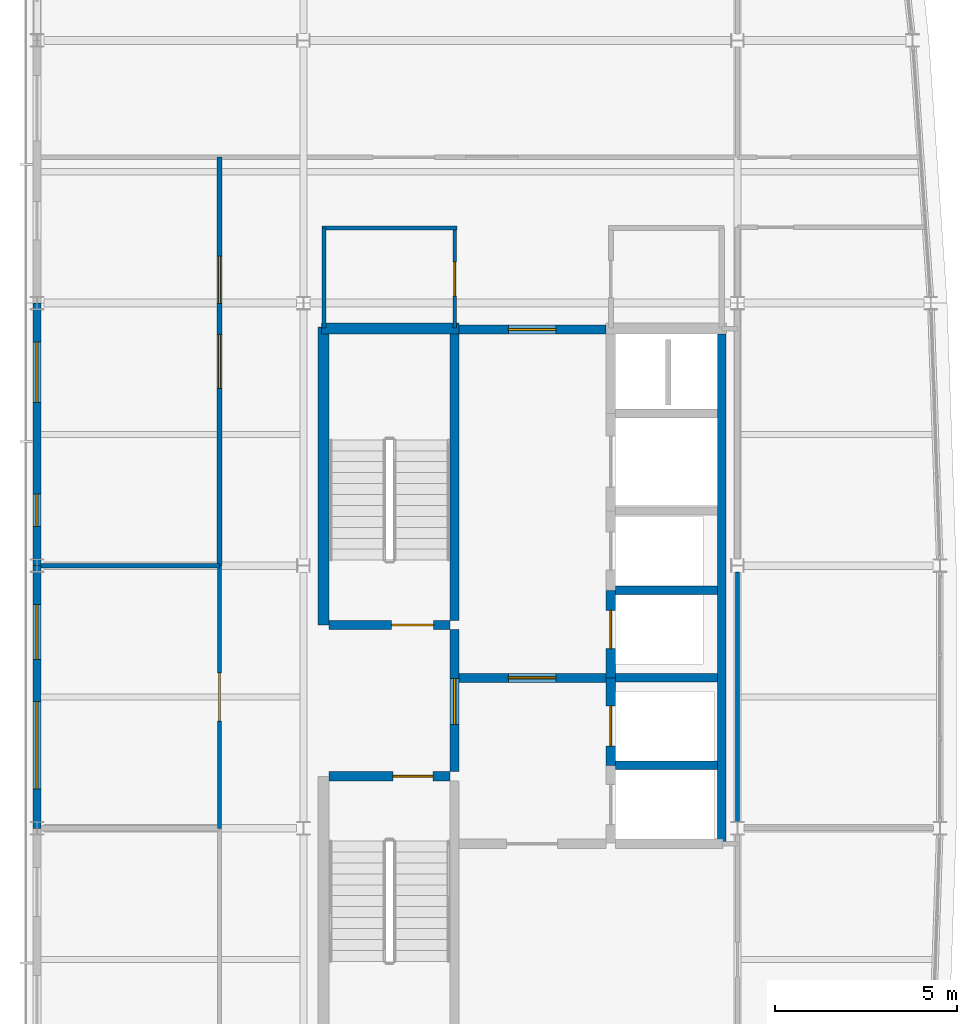
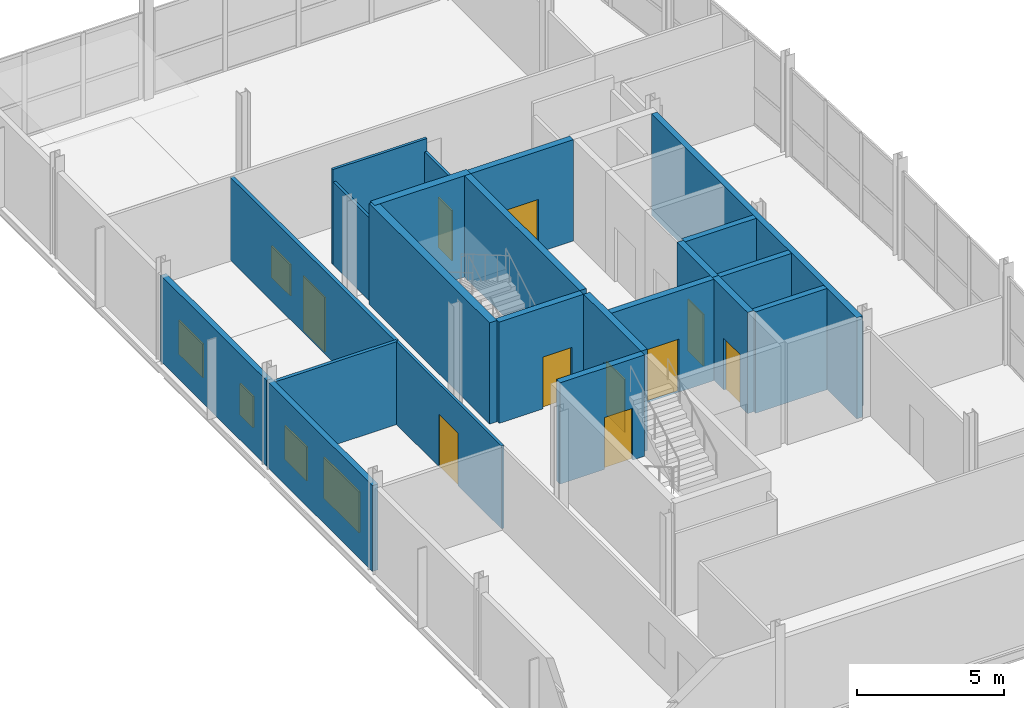
# One storey, part 12 of 17: 23 walls, 10 doors, 5 windows, 15 openings.
"""IFC4 building model written with IfcOpenShell, lengths in metres."""

import ifcopenshell
import ifcopenshell.guid

model = None  # the IFC model being written
_history = None  # IfcOwnerHistory: only IFC2X3 demands one
_inside = {}  # id of a spatial element -> (the spatial element, [elements in it])
_under = {}  # id of a project, library or spatial element -> (it, [spatial elements below it])
_declared = {}  # id of a project -> (the project, [libraries it declares])
_typed = {}  # id of a type object -> (the type object, [elements of that type])
_made_of = {}  # id of a material, layer set ... -> (it, [elements and type objects made of it])


def new_model(schema):
    """Start an empty IFC model of exactly this schema.

    Asked for "IFC4X3", IfcOpenShell would pick the latest addendum, in which some entities
    have other attributes; the version numbers below select the first issue.
    IFC2X3 requires an IfcOwnerHistory on every rooted entity: one is made here for all.
    """
    global model, _history
    if schema == "IFC4X3":
        model = ifcopenshell.file(schema_version=(4, 3, 0, 0))
    else:
        model = ifcopenshell.file(schema=schema)
    _inside.clear()
    _under.clear()
    _declared.clear()
    _typed.clear()
    _made_of.clear()
    _history = None
    if model.schema == "IFC2X3":
        org = make("IfcOrganization", Name="unknown")
        user = make(
            "IfcPersonAndOrganization",
            ThePerson=make("IfcPerson", FamilyName="unknown"),
            TheOrganization=org,
        )
        app = make(
            "IfcApplication",
            ApplicationDeveloper=org,
            Version="unknown",
            ApplicationFullName="unknown",
            ApplicationIdentifier="unknown",
        )
        _history = make(
            "IfcOwnerHistory",
            OwningUser=user,
            OwningApplication=app,
            ChangeAction="ADDED",
            CreationDate=0,
        )
    return model


def make(cls, **values):
    """One entity of the class cls with the attributes given. An attribute that is None is left unset."""
    return model.create_entity(
        cls, **{name: value for name, value in values.items() if value is not None}
    )


def rooted(cls, **values):
    """An entity with a GlobalId (a new one), such as an element, a storey or a relation."""
    return make(cls, GlobalId=ifcopenshell.guid.new(), OwnerHistory=_history, **values)


def si_unit(unit_type, name, prefix=None):
    """IfcSIUnit, for example si_unit("LENGTHUNIT", "METRE", prefix="MILLI")."""
    return make("IfcSIUnit", UnitType=unit_type, Prefix=prefix, Name=name)


def assignment(units):
    """IfcUnitAssignment: the units of a project."""
    return None if units is None else make("IfcUnitAssignment", Units=units)


def point(xyz):
    """IfcCartesianPoint."""
    return None if xyz is None else make("IfcCartesianPoint", Coordinates=xyz)


def direction(xyz):
    """IfcDirection."""
    return None if xyz is None else make("IfcDirection", DirectionRatios=xyz)


def frame(location, z_axis=None, x_axis=None):
    """IfcAxis2Placement3D, a coordinate frame: its origin and axes. An axis left out is left unset."""
    return make(
        "IfcAxis2Placement3D",
        Location=point(location),
        Axis=direction(z_axis),
        RefDirection=direction(x_axis),
    )


def frame_2d(location, x_axis=None):
    """IfcAxis2Placement2D, a coordinate frame in the plane: its origin and x axis."""
    return make(
        "IfcAxis2Placement2D", Location=point(location), RefDirection=direction(x_axis)
    )


def origin():
    """The frame at (0, 0, 0) with its axes left unset."""
    return frame((0.0, 0.0, 0.0))


def place(relative_to, where):
    """IfcLocalPlacement: puts the frame where relative to a parent placement (None: the world)."""
    return make(
        "IfcLocalPlacement", PlacementRelTo=relative_to, RelativePlacement=where
    )


def context(
    kind, dimensions, precision=None, world=None, true_north=None, identifier=None
):
    """IfcGeometricRepresentationContext, for example the 3D "Model" context."""
    return make(
        "IfcGeometricRepresentationContext",
        ContextIdentifier=identifier,
        ContextType=kind,
        CoordinateSpaceDimension=dimensions,
        Precision=precision,
        WorldCoordinateSystem=world,
        TrueNorth=true_north,
    )


def subcontext(parent, identifier, kind, view, scale=None):
    """IfcGeometricRepresentationSubContext, for example "Body" below "Model"."""
    return make(
        "IfcGeometricRepresentationSubContext",
        ContextIdentifier=identifier,
        ContextType=kind,
        ParentContext=parent,
        TargetScale=scale,
        TargetView=view,
    )


def project(units=None, contexts=None):
    """IfcProject with its units and contexts."""
    return rooted(
        "IfcProject",
        Name="project",
        RepresentationContexts=contexts,
        UnitsInContext=assignment(units),
    )


def spatial(cls, under=None, at=None, **own):
    """A site, building, storey or space (cls), placed at a placement, below another one or the project."""
    s = rooted(cls, ObjectPlacement=at, **own)
    if under is not None:
        _under.setdefault(under.id(), (under, []))[1].append(s)
    return s


def profile(cls, at=None, kind="AREA", **sizes):
    """A parametric profile (cls). Its sizes go by their IFC names, for example OverallWidth=200.0."""
    return make(cls, ProfileType=kind, Position=at, **sizes)


def rectangle(**sizes):
    """IfcRectangleProfileDef."""
    return profile("IfcRectangleProfileDef", **sizes)


def extrude(swept, where, along, depth):
    """IfcExtrudedAreaSolid: the profile swept, set in the frame where, extruded along a direction by depth."""
    return make(
        "IfcExtrudedAreaSolid",
        SweptArea=swept,
        Position=where,
        ExtrudedDirection=direction(along),
        Depth=depth,
    )


def shape(context_of_items, identifier, shape_type, items):
    """IfcShapeRepresentation: the items that make up one representation, for example the "Body"."""
    return make(
        "IfcShapeRepresentation",
        ContextOfItems=context_of_items,
        RepresentationIdentifier=identifier,
        RepresentationType=shape_type,
        Items=items,
    )


def material(Name=None, Category=None):
    """IfcMaterial."""
    return make("IfcMaterial", Name=Name, Category=Category)


def layer(
    of_material, thickness, ventilated=None, Name=None, Category=None, Priority=None
):
    """IfcMaterialLayer: one layer of a wall or slab, of a material (None: an air gap)."""
    return make(
        "IfcMaterialLayer",
        Material=of_material,
        LayerThickness=thickness,
        IsVentilated=ventilated,
        Name=Name,
        Category=Category,
        Priority=Priority,
    )


def layer_set(layers, Name=None):
    """IfcMaterialLayerSet."""
    return make("IfcMaterialLayerSet", MaterialLayers=layers, LayerSetName=Name)


def made_of(thing, what):
    """Note that an element or type object is made of a material, layer set ...; save() writes the relation."""
    if what is not None:
        _made_of.setdefault(what.id(), (what, []))[1].append(thing)
    return thing


def type_object(cls, material=None, **own):
    """A type object (cls), such as IfcWallType, which elements share."""
    return made_of(rooted(cls, **own), material)


def element(
    cls,
    number,
    at=None,
    inside=None,
    cuts=None,
    type_object=None,
    material=None,
    context=None,
    identifier="Body",
    shape_type=None,
    held_by="IfcProductDefinitionShape",
    body=None,
    shapes=None,
    **own,
):
    """One element of the class cls, such as IfcWall. Its Tag is "e" and its number.

    at: its placement. inside: the storey or other place that contains it. cuts: it is an
    opening in that element (IfcRelVoidsElement). A single representation is given by context,
    identifier, shape_type and body (its items); several are given by shapes. held_by: the class
    of the entity that holds the representations. save() writes the other relations.
    """
    e = rooted(cls, Tag="e%d" % number, ObjectPlacement=at, **own)
    if body is not None:
        shapes = [shape(context, identifier, shape_type, body)]
    if shapes is not None:
        e.Representation = make(held_by, Representations=shapes)
    if inside is not None:
        _inside.setdefault(inside.id(), (inside, []))[1].append(e)
    if cuts is not None:
        rooted(
            "IfcRelVoidsElement", RelatingBuildingElement=cuts, RelatedOpeningElement=e
        )
    if type_object is not None:
        _typed.setdefault(type_object.id(), (type_object, []))[1].append(e)
    return made_of(e, material)


def fill(opening, filler):
    """IfcRelFillsElement: the door or window that sits in an opening."""
    return rooted(
        "IfcRelFillsElement",
        RelatingOpeningElement=opening,
        RelatedBuildingElement=filler,
    )


def aggregate(whole, parts):
    """IfcRelAggregates: a whole, such as a stair, and the parts it consists of."""
    return rooted("IfcRelAggregates", RelatingObject=whole, RelatedObjects=parts)


def save(model, path):
    """Write the relations noted so far, then the file.

    IfcRelAggregates (storeys below a building ...), IfcRelContainedInSpatialStructure (elements
    in a storey), IfcRelDefinesByType, IfcRelAssociatesMaterial and IfcRelDeclares: one each for
    every whole, place, type object, material and project.
    """
    for whole, parts in _under.values():
        aggregate(whole, parts)
    for where, things in _inside.values():
        rooted(
            "IfcRelContainedInSpatialStructure",
            RelatedElements=things,
            RelatingStructure=where,
        )
    for kind, things in _typed.values():
        rooted("IfcRelDefinesByType", RelatedObjects=things, RelatingType=kind)
    for what, things in _made_of.values():
        rooted("IfcRelAssociatesMaterial", RelatedObjects=things, RelatingMaterial=what)
    for by, libraries in _declared.values():
        rooted("IfcRelDeclares", RelatingContext=by, RelatedDefinitions=libraries)
    model.write(path)


model = new_model("IFC4")

# Units and contexts
model_context = context("Model", 3, precision=1e-05, world=origin(), true_north=direction((0.0, 1.0)))
body_context = subcontext(model_context, "Body", "Model", "MODEL_VIEW")
ifc_project = project(units=[si_unit("LENGTHUNIT", "METRE"), si_unit("AREAUNIT", "SQUARE_METRE"), si_unit("VOLUMEUNIT", "CUBIC_METRE"), si_unit("PLANEANGLEUNIT", "RADIAN"), si_unit("MASSUNIT", "GRAM", prefix="KILO")], contexts=[model_context])

# Site, building, storey
site_placement = place(None, origin())
site = spatial("IfcSite", under=ifc_project, at=site_placement, CompositionType="ELEMENT")
building_placement = place(site_placement, origin())
building = spatial("IfcBuilding", under=site, at=building_placement, Name="Quillay Park Conservatory", CompositionType="ELEMENT")
storey_placement = place(building_placement, frame((0.0, 0.0, 56.10009765625)))
storey = spatial("IfcBuildingStorey", under=building, at=storey_placement, Name="L13", CompositionType="ELEMENT", Elevation=56.10009765625)

# Wall, opening, door
ifc_material_1 = material(Name="Steel-Stud Acoustic Gypsum Board Partition", Category="steel")
ifc_layer_1 = layer(ifc_material_1, 0.10009765625)
ifc_layer_set_1 = layer_set([ifc_layer_1], Name="ACOUSTIC GYPSUM PARTITION 100 (Steel-Stud Acoustic Gypsum Board Partition)")
wall_type_1 = type_object("IfcWallType", Name="ACOUSTIC GYPSUM PARTITION 100", PredefinedType="PARTITIONING", material=ifc_layer_set_1)
wall_1_placement = place(storey_placement, frame((12.0, 101.60009765625, 0.0), z_axis=(0.0, 0.0, 1.0), x_axis=(0.0, -1.0, 0.0)))
wall_1 = element("IfcWall", 1, at=wall_1_placement, inside=storey, type_object=wall_type_1, Name="L13 Accessible WC Door Wall", PredefinedType="PARTITIONING", context=body_context, shape_type="SweptSolid", body=[
    extrude(rectangle(XDim=2.68017578125, YDim=0.10009765625, at=frame_2d((1.340087890625, 0.0))), origin(), (0.0, 0.0, 1.0), 3.435791015625),
])
opening_1_placement = place(wall_1_placement, frame((0.8701171875, 0.0, 0.0)))
opening_1 = element("IfcOpeningElement", 2, at=opening_1_placement, cuts=wall_1, Name="Opening D-RM32", PredefinedType="OPENING", context=body_context, shape_type="SweptSolid", body=[
    extrude(rectangle(XDim=0.93994140625, YDim=2.080078125, at=frame_2d((0.469970703125, 1.0400390625))), frame((0.0, 0.050048828125, 0.0), z_axis=(0.0, -1.0, 0.0), x_axis=(1.0, 0.0, 0.0)), (0.0, 0.0, 1.0), 0.10009765625),
])
ifc_material_2 = material(Name="Thermally Broken Anodised Aluminium 6063-T6", Category="aluminium")
door_type_1 = type_object("IfcDoorType", Name="SINGLE SWING DOOR 940 X2080", OperationType="NOTDEFINED", PredefinedType="DOOR", material=ifc_material_2)
door_1_placement = place(opening_1_placement, origin())
door_1 = element("IfcDoor", 3, at=door_1_placement, inside=storey, type_object=door_type_1, Name="L13 Door to L13 Accessible WC", OperationType="SINGLE_SWING_LEFT", OverallHeight=2.080078125, OverallWidth=0.93994140625, PredefinedType="DOOR", context=body_context, shape_type="SweptSolid", body=[
    extrude(rectangle(XDim=0.93994140625, YDim=2.080078125, at=frame_2d((0.469970703125, 1.0400390625))), frame((0.0, 0.02490234375, 0.0), z_axis=(0.0, -1.0, 0.0), x_axis=(1.0, 0.0, 0.0)), (0.0, 0.0, 1.0), 0.050048828125),
])
fill(opening_1, door_1)

wall_2_placement = place(storey_placement, frame((5.550048828125, 85.199951171875, 0.0), z_axis=(0.0, 0.0, 1.0), x_axis=(0.0, 1.0, 0.0)))
wall_2 = element("IfcWall", 4, at=wall_2_placement, inside=storey, type_object=wall_type_1, Name="L13 L13 Flora of Chile Editorial and Taxonomy Suite Corridor Wall", PredefinedType="PARTITIONING", context=body_context, shape_type="SweptSolid", body=[
    extrude(rectangle(XDim=7.199951171875, YDim=0.10009765625, at=frame_2d((3.60009765625, 0.0))), origin(), (0.0, 0.0, 1.0), 3.435791015625),
])
opening_2_placement = place(wall_2_placement, frame((2.93994140625, 0.0, 0.0)))
opening_2 = element("IfcOpeningElement", 5, at=opening_2_placement, cuts=wall_2, Name="Opening D-RM36", PredefinedType="OPENING", context=body_context, shape_type="SweptSolid", body=[
    extrude(rectangle(XDim=1.320068359375, YDim=2.179931640625, at=frame_2d((0.66015625, 1.08984375))), frame((0.0, 0.050048828125, 0.0), z_axis=(0.0, -1.0, 0.0), x_axis=(1.0, 0.0, 0.0)), (0.0, 0.0, 1.0), 0.10009765625),
])
ifc_material_3 = material(Name="Thermally Broken Anodised Aluminium 6063-T6", Category="aluminium")
door_type_2 = type_object("IfcDoorType", Name="SINGLE SWING DOOR 1320 X2180", OperationType="NOTDEFINED", PredefinedType="DOOR", material=ifc_material_3)
door_2_placement = place(opening_2_placement, origin())
door_2 = element("IfcDoor", 6, at=door_2_placement, inside=storey, type_object=door_type_2, Name="L13 Door to L13 Flora of Chile Editorial and Taxonomy Suite", OperationType="SINGLE_SWING_RIGHT", OverallHeight=2.179931640625, OverallWidth=1.320068359375, PredefinedType="DOOR", context=body_context, shape_type="SweptSolid", body=[
    extrude(rectangle(XDim=1.320068359375, YDim=2.179931640625, at=frame_2d((0.66015625, 1.08984375))), frame((0.0, 0.02490234375, 0.0), z_axis=(0.0, -1.0, 0.0), x_axis=(1.0, 0.0, 0.0)), (0.0, 0.0, 1.0), 0.050048828125),
])
fill(opening_2, door_2)

# Walls
wall_3_placement = place(storey_placement, frame((19.75, 85.373046875, 0.0), z_axis=(0.0, 0.0, 1.0), x_axis=(0.0, 1.0, 0.0)))
element("IfcWall", 7, at=wall_3_placement, inside=storey, type_object=wall_type_1, Name="L13 L13 Remote Sensing Phenology Laboratory West Wall 1", PredefinedType="PARTITIONING", context=body_context, shape_type="SweptSolid", body=[
    extrude(rectangle(XDim=6.847412109375, YDim=0.10009765625, at=frame_2d((3.423828125, 0.0))), origin(), (0.0, 0.0, 1.0), 3.511962890625),
])
ifc_material_4 = material(Name="Steel-Stud Acoustic Gypsum Board Partition", Category="steel")
ifc_layer_2 = layer(ifc_material_4, 0.10498046875)
ifc_layer_set_2 = layer_set([ifc_layer_2], Name="ACOUSTIC GYPSUM PARTITION 105 (Steel-Stud Acoustic Gypsum Board Partition)")
wall_type_2 = type_object("IfcWallType", Name="ACOUSTIC GYPSUM PARTITION 105", PredefinedType="PARTITIONING", material=ifc_layer_set_2)
wall_4_placement = place(storey_placement, frame((8.360107421875, 101.659912109375, 0.0), z_axis=(0.0, 0.0, 1.0), x_axis=(1.0, 0.0, 0.0)))
element("IfcWall", 8, at=wall_4_placement, inside=storey, type_object=wall_type_2, Name="L13 Accessible WC North Wall", PredefinedType="PARTITIONING", context=body_context, shape_type="SweptSolid", body=[
    extrude(rectangle(XDim=3.699951171875, YDim=0.10498046875, at=frame_2d((1.85009765625, 0.0))), origin(), (0.0, 0.0, 1.0), 3.949951171875),
])
ifc_material_5 = material(Name="Steel-Stud Acoustic Gypsum Board Partition", Category="steel")
ifc_layer_3 = layer(ifc_material_5, 0.110107421875)
ifc_layer_set_3 = layer_set([ifc_layer_3], Name="ACOUSTIC GYPSUM PARTITION 110 (Steel-Stud Acoustic Gypsum Board Partition)")
wall_type_3 = type_object("IfcWallType", Name="ACOUSTIC GYPSUM PARTITION 110", PredefinedType="PARTITIONING", material=ifc_layer_set_3)
wall_5_placement = place(storey_placement, frame((8.419921875, 98.919921875, 0.0), z_axis=(0.0, 0.0, 1.0), x_axis=(0.0, 1.0, 0.0)))
element("IfcWall", 9, at=wall_5_placement, inside=storey, type_object=wall_type_3, Name="L13 Accessible WC West Wall", PredefinedType="PARTITIONING", context=body_context, shape_type="SweptSolid", body=[
    extrude(rectangle(XDim=2.739990234375, YDim=0.110107421875, at=frame_2d((1.3701171875, 0.0))), origin(), (0.0, 0.0, 1.0), 3.435791015625),
])
ifc_material_6 = material(Name="Steel-Stud Acoustic Gypsum Board Partition", Category="steel")
ifc_layer_4 = layer(ifc_material_6, 0.1298828125)
ifc_layer_set_4 = layer_set([ifc_layer_4], Name="ACOUSTIC GYPSUM PARTITION 130 (Steel-Stud Acoustic Gypsum Board Partition)")
wall_type_4 = type_object("IfcWallType", Name="ACOUSTIC GYPSUM PARTITION 130", PredefinedType="PARTITIONING", material=ifc_layer_set_4)
wall_6_placement = place(storey_placement, frame((0.64990234375, 92.39990234375, 0.0), z_axis=(0.0, 0.0, 1.0), x_axis=(1.0, 0.0, 0.0)))
element("IfcWall", 10, at=wall_6_placement, inside=storey, type_object=wall_type_4, Name="L13 West Divider 92", PredefinedType="PARTITIONING", context=body_context, shape_type="SweptSolid", body=[
    extrude(rectangle(XDim=4.900146484375, YDim=0.1298828125, at=frame_2d((2.4501953125, 0.0))), origin(), (0.0, 0.0, 1.0), 3.435791015625),
])

# Wall, openings, window, door
ifc_material_7 = material(Name="Steel-Stud Acoustic Gypsum Board Partition", Category="steel")
ifc_layer_5 = layer(ifc_material_7, 0.139892578125)
ifc_layer_set_5 = layer_set([ifc_layer_5], Name="ACOUSTIC GYPSUM PARTITION 140 (Steel-Stud Acoustic Gypsum Board Partition)")
wall_type_5 = type_object("IfcWallType", Name="ACOUSTIC GYPSUM PARTITION 140", PredefinedType="PARTITIONING", material=ifc_layer_set_5)
wall_7_placement = place(storey_placement, frame((5.550048828125, 92.39990234375, 0.0), z_axis=(0.0, 0.0, 1.0), x_axis=(0.0, 1.0, 0.0)))
wall_7 = element("IfcWall", 11, at=wall_7_placement, inside=storey, type_object=wall_type_5, Name="L13 L13 Endangered Flora Conservation Planning Lab Corridor Wall", PredefinedType="PARTITIONING", context=body_context, shape_type="SweptSolid", body=[
    extrude(rectangle(XDim=11.2001953125, YDim=0.139892578125, at=frame_2d((5.60009765625, 0.0))), origin(), (0.0, 0.0, 1.0), 3.435791015625),
])
opening_3_placement = place(wall_7_placement, frame((4.860107421875, 0.0, 0.0)))
opening_3 = element("IfcOpeningElement", 12, at=opening_3_placement, cuts=wall_7, Name="Opening D-RM37", PredefinedType="OPENING", context=body_context, shape_type="SweptSolid", body=[
    extrude(rectangle(XDim=1.47998046875, YDim=2.280029296875, at=frame_2d((0.739990234375, 1.14013671875))), frame((0.0, 0.06982421875, 0.0), z_axis=(0.0, -1.0, 0.0), x_axis=(1.0, 0.0, 0.0)), (0.0, 0.0, 1.0), 0.139892578125),
])
opening_4_placement = place(wall_7_placement, frame((7.18994140625, 0.0, 0.919921875)))
opening_4 = element("IfcOpeningElement", 13, at=opening_4_placement, cuts=wall_7, Name="Opening W-IN11", PredefinedType="OPENING", context=body_context, shape_type="SweptSolid", body=[
    extrude(rectangle(XDim=1.300048828125, YDim=1.300048828125, at=frame_2d((0.64990234375, 0.64990234375))), frame((0.0, 0.06982421875, 0.0), z_axis=(0.0, -1.0, 0.0), x_axis=(1.0, 0.0, 0.0)), (0.0, 0.0, 1.0), 0.139892578125),
])
ifc_material_8 = material(Name="Low-E Double Glazing (Laminated Tempered)", Category="glass")
window_type_1 = type_object("IfcWindowType", Name="OPERABLE VENT WINDOW 1300 X1300", PartitioningType="SINGLE_PANEL", PredefinedType="WINDOW", material=ifc_material_8)
window_1_placement = place(opening_4_placement, origin())
window_1 = element("IfcWindow", 14, at=window_1_placement, inside=storey, type_object=window_type_1, Name="L13 Laboratory Vision Panel 047", OverallHeight=1.300048828125, OverallWidth=1.300048828125, PartitioningType="SINGLE_PANEL", PredefinedType="WINDOW", context=body_context, shape_type="SweptSolid", body=[
    extrude(rectangle(XDim=1.300048828125, YDim=1.300048828125, at=frame_2d((0.64990234375, 0.64990234375))), frame((0.0, 0.030029296875, 0.0), z_axis=(0.0, -1.0, 0.0), x_axis=(1.0, 0.0, 0.0)), (0.0, 0.0, 1.0), 0.06005859375),
])
fill(opening_4, window_1)
ifc_material_9 = material(Name="Thermally Broken Anodised Aluminium 6063-T6", Category="aluminium")
door_type_3 = type_object("IfcDoorType", Name="SINGLE SWING DOOR 1480 X2280", OperationType="NOTDEFINED", PredefinedType="DOOR", material=ifc_material_9)
door_3_placement = place(opening_3_placement, origin())
door_3 = element("IfcDoor", 15, at=door_3_placement, inside=storey, type_object=door_type_3, Name="L13 Door to L13 Endangered Flora Conservation Planning Lab", OperationType="SINGLE_SWING_LEFT", OverallHeight=2.280029296875, OverallWidth=1.47998046875, PredefinedType="DOOR", context=body_context, shape_type="SweptSolid", body=[
    extrude(rectangle(XDim=1.47998046875, YDim=2.280029296875, at=frame_2d((0.739990234375, 1.14013671875))), frame((0.0, 0.02490234375, 0.0), z_axis=(0.0, -1.0, 0.0), x_axis=(1.0, 0.0, 0.0)), (0.0, 0.0, 1.0), 0.050048828125),
])
fill(opening_3, door_3)

# Walls
ifc_material_10 = material(Name="Concrete C35/45 (NCh170 Concrete C35/45)", Category="concrete")
ifc_layer_6 = layer(ifc_material_10, 0.22509765625)
ifc_layer_set_6 = layer_set([ifc_layer_6], Name="CORE SHEAR WALL 225 (Concrete C35/45 (NCh170 Concrete C35/45))")
wall_type_6 = type_object("IfcWallType", Name="CORE SHEAR WALL 225", PredefinedType="SHEAR", material=ifc_layer_set_6)
wall_8_placement = place(storey_placement, frame((19.320068359375, 84.800048828125, 0.0), z_axis=(0.0, 0.0, 1.0), x_axis=(0.0, 1.0, 0.0)))
element("IfcWall", 16, at=wall_8_placement, inside=storey, type_object=wall_type_6, Name="L13 Core Shear Wall WL-LFBACK-L13", PredefinedType="SHEAR", context=body_context, shape_type="SweptSolid", body=[
    extrude(rectangle(XDim=13.949951171875, YDim=0.22509765625, at=frame_2d((6.97509765625, 0.0))), origin(), (0.0, 0.0, 1.0), 4.199951171875),
])
for number, where, z_axis, x_axis, name in (
    (17, (16.39990234375, 86.925048828125, 0.0), (0.0, 0.0, 1.0), (1.0, 0.0, 0.0), "L13 Core Shear Wall WL-LFDIV-L13-869"),
    (18, (16.39990234375, 89.324951171875, 0.0), (0.0, 0.0, 1.0), (1.0, 0.0, 0.0), "L13 Core Shear Wall WL-LFDIV-L13-893"),
    (19, (16.39990234375, 91.72509765625, 0.0), (0.0, 0.0, 1.0), (1.0, 0.0, 0.0), "L13 Core Shear Wall WL-LFDIV-L13-917"),
):
    element("IfcWall", number, at=place(storey_placement, frame(where, z_axis=z_axis, x_axis=x_axis)), inside=storey, type_object=wall_type_6, Name=name, PredefinedType="SHEAR", context=body_context, shape_type="SweptSolid", body=[
        extrude(rectangle(XDim=2.800048828125, YDim=0.22509765625, at=frame_2d((1.39990234375, 0.0))), origin(), (0.0, 0.0, 1.0), 4.199951171875),
    ])
ifc_material_11 = material(Name="Concrete C40/50 (NCh170 Concrete C40/50)", Category="concrete")
ifc_layer_7 = layer(ifc_material_11, 0.25)
ifc_layer_set_7 = layer_set([ifc_layer_7], Name="CORE SHEAR WALL 250 (Concrete C40/50 (NCh170 Concrete C40/50))")
wall_type_7 = type_object("IfcWallType", Name="CORE SHEAR WALL 250", PredefinedType="SHEAR", material=ifc_layer_set_7)
wall_9_placement = place(storey_placement, frame((11.9951171875, 90.89990234375, 0.0), z_axis=(0.0, 0.0, 1.0), x_axis=(0.0, 1.0, 0.0)))
element("IfcWall", 20, at=wall_9_placement, inside=storey, type_object=wall_type_7, Name="L13 Core Shear Wall WL-T1E-L13", PredefinedType="SHEAR", context=body_context, shape_type="SweptSolid", body=[
    extrude(rectangle(XDim=7.85009765625, YDim=0.25, at=frame_2d((3.925048828125, 0.0))), origin(), (0.0, 0.0, 1.0), 4.199951171875),
])

# Wall, opening, door
wall_10_placement = place(storey_placement, frame((11.9951171875, 86.75, 0.0), z_axis=(0.0, 0.0, 1.0), x_axis=(0.0, 1.0, 0.0)))
wall_10 = element("IfcWall", 21, at=wall_10_placement, inside=storey, type_object=wall_type_7, Name="L13 Core Shear Wall WL-FFW-L13", PredefinedType="SHEAR", context=body_context, shape_type="SweptSolid", body=[
    extrude(rectangle(XDim=3.89990234375, YDim=0.25, at=frame_2d((1.949951171875, 0.0))), origin(), (0.0, 0.0, 1.0), 4.199951171875),
])
opening_5_placement = place(wall_10_placement, frame((1.300048828125, 0.0, 0.0)))
opening_5 = element("IfcOpeningElement", 22, at=opening_5_placement, cuts=wall_10, Name="Opening D-LB01", PredefinedType="OPENING", context=body_context, shape_type="SweptSolid", body=[
    extrude(rectangle(XDim=1.25, YDim=2.199951171875, at=frame_2d((0.625, 1.10009765625))), frame((0.0, 0.125, 0.0), z_axis=(0.0, -1.0, 0.0), x_axis=(1.0, 0.0, 0.0)), (0.0, 0.0, 1.0), 0.25),
])
ifc_material_12 = material(Name="Steel ASTM A572 Grade 50", Category="steel")
door_type_4 = type_object("IfcDoorType", Name="FIRE RATED LOBBY DOOR 1250 X2200", OperationType="NOTDEFINED", PredefinedType="DOOR", material=ifc_material_12)
door_4_placement = place(opening_5_placement, origin())
door_4 = element("IfcDoor", 23, at=door_4_placement, inside=storey, type_object=door_type_4, Name="L13 Firefighting Lobby Corridor Door", OperationType="SINGLE_SWING_LEFT", OverallHeight=2.199951171875, OverallWidth=1.25, PredefinedType="DOOR", context=body_context, shape_type="SweptSolid", body=[
    extrude(rectangle(XDim=1.25, YDim=2.199951171875, at=frame_2d((0.625, 1.10009765625))), frame((0.0, 0.02490234375, 0.0), z_axis=(0.0, -1.0, 0.0), x_axis=(1.0, 0.0, 0.0)), (0.0, 0.0, 1.0), 0.050048828125),
])
fill(opening_5, door_4)

wall_11_placement = place(storey_placement, frame((12.1201171875, 98.875, 0.0), z_axis=(0.0, 0.0, 1.0), x_axis=(1.0, 0.0, 0.0)))
wall_11 = element("IfcWall", 24, at=wall_11_placement, inside=storey, type_object=wall_type_7, Name="L13 Core Shear Wall WL-PAXN-L13", PredefinedType="SHEAR", context=body_context, shape_type="SweptSolid", body=[
    extrude(rectangle(XDim=4.02978515625, YDim=0.25, at=frame_2d((2.014892578125, 0.0))), origin(), (0.0, 0.0, 1.0), 4.199951171875),
])
opening_6_placement = place(wall_11_placement, frame((1.35009765625, 0.0, 0.0)))
opening_6 = element("IfcOpeningElement", 25, at=opening_6_placement, cuts=wall_11, Name="Opening D-LB02", PredefinedType="OPENING", context=body_context, shape_type="SweptSolid", body=[
    extrude(rectangle(XDim=1.300048828125, YDim=2.199951171875, at=frame_2d((0.64990234375, 1.10009765625))), frame((0.0, 0.125, 0.0), z_axis=(0.0, -1.0, 0.0), x_axis=(1.0, 0.0, 0.0)), (0.0, 0.0, 1.0), 0.25),
])
ifc_material_13 = material(Name="Steel ASTM A572 Grade 50", Category="steel")
door_type_5 = type_object("IfcDoorType", Name="FIRE RATED LOBBY DOOR 1300 X2200", OperationType="NOTDEFINED", PredefinedType="DOOR", material=ifc_material_13)
door_5_placement = place(opening_6_placement, origin())
door_5 = element("IfcDoor", 26, at=door_5_placement, inside=storey, type_object=door_type_5, Name="L13 North Lift Lobby Door", OperationType="SINGLE_SWING_RIGHT", OverallHeight=2.199951171875, OverallWidth=1.300048828125, PredefinedType="DOOR", context=body_context, shape_type="SweptSolid", body=[
    extrude(rectangle(XDim=1.300048828125, YDim=2.199951171875, at=frame_2d((0.64990234375, 1.10009765625))), frame((0.0, 0.02490234375, 0.0), z_axis=(0.0, -1.0, 0.0), x_axis=(1.0, 0.0, 0.0)), (0.0, 0.0, 1.0), 0.050048828125),
])
fill(opening_6, door_5)

wall_12_placement = place(storey_placement, frame((8.550048828125, 86.625, 0.0), z_axis=(0.0, 0.0, 1.0), x_axis=(1.0, 0.0, 0.0)))
wall_12 = element("IfcWall", 27, at=wall_12_placement, inside=storey, type_object=wall_type_7, Name="L13 Core Shear Wall WL-ST2D-L13", PredefinedType="SHEAR", context=body_context, shape_type="SweptSolid", body=[
    extrude(rectangle(XDim=3.320068359375, YDim=0.25, at=frame_2d((1.66015625, 0.0))), origin(), (0.0, 0.0, 1.0), 4.199951171875),
])
opening_7_placement = place(wall_12_placement, frame((1.75, 0.0, 0.0)))
opening_7 = element("IfcOpeningElement", 28, at=opening_7_placement, cuts=wall_12, Name="Opening D-ST01", PredefinedType="OPENING", context=body_context, shape_type="SweptSolid", body=[
    extrude(rectangle(XDim=1.10009765625, YDim=2.14990234375, at=frame_2d((0.550048828125, 1.074951171875))), frame((0.0, 0.125, 0.0), z_axis=(0.0, -1.0, 0.0), x_axis=(1.0, 0.0, 0.0)), (0.0, 0.0, 1.0), 0.25),
])
ifc_material_14 = material(Name="Steel ASTM A572 Grade 50", Category="steel")
door_type_6 = type_object("IfcDoorType", Name="FIRE RATED STAIR DOOR 1100 X2150", OperationType="NOTDEFINED", PredefinedType="DOOR", material=ifc_material_14)
door_6_placement = place(opening_7_placement, origin())
door_6 = element("IfcDoor", 29, at=door_6_placement, inside=storey, type_object=door_type_6, Name="L13 Protected Stair ST-T2 Door", OperationType="SINGLE_SWING_LEFT", OverallHeight=2.14990234375, OverallWidth=1.10009765625, PredefinedType="DOOR", context=body_context, shape_type="SweptSolid", body=[
    extrude(rectangle(XDim=1.10009765625, YDim=2.14990234375, at=frame_2d((0.550048828125, 1.074951171875))), frame((0.0, 0.02490234375, 0.0), z_axis=(0.0, -1.0, 0.0), x_axis=(1.0, 0.0, 0.0)), (0.0, 0.0, 1.0), 0.050048828125),
])
fill(opening_7, door_6)

wall_13_placement = place(storey_placement, frame((11.8701171875, 90.77490234375, 0.0), z_axis=(0.0, 0.0, 1.0), x_axis=(-1.0, 0.0, 0.0)))
wall_13 = element("IfcWall", 30, at=wall_13_placement, inside=storey, type_object=wall_type_7, Name="L13 Core Shear Wall WL-ST1D-L13", PredefinedType="SHEAR", context=body_context, shape_type="SweptSolid", body=[
    extrude(rectangle(XDim=3.320068359375, YDim=0.25, at=frame_2d((1.66015625, 0.0))), origin(), (0.0, 0.0, 1.0), 4.199951171875),
])
opening_8_placement = place(wall_13_placement, frame((0.449951171875, 0.0, 0.0)))
opening_8 = element("IfcOpeningElement", 31, at=opening_8_placement, cuts=wall_13, Name="Opening D-ST02", PredefinedType="OPENING", context=body_context, shape_type="SweptSolid", body=[
    extrude(rectangle(XDim=1.14990234375, YDim=2.14990234375, at=frame_2d((0.574951171875, 1.074951171875))), frame((0.0, 0.125, 0.0), z_axis=(0.0, -1.0, 0.0), x_axis=(1.0, 0.0, 0.0)), (0.0, 0.0, 1.0), 0.25),
])
ifc_material_15 = material(Name="Steel ASTM A572 Grade 50", Category="steel")
door_type_7 = type_object("IfcDoorType", Name="FIRE RATED STAIR DOOR 1150 X2150", OperationType="NOTDEFINED", PredefinedType="DOOR", material=ifc_material_15)
door_7_placement = place(opening_8_placement, origin())
door_7 = element("IfcDoor", 32, at=door_7_placement, inside=storey, type_object=door_type_7, Name="L13 Protected Stair ST-T1 Door", OperationType="SINGLE_SWING_RIGHT", OverallHeight=2.14990234375, OverallWidth=1.14990234375, PredefinedType="DOOR", context=body_context, shape_type="SweptSolid", body=[
    extrude(rectangle(XDim=1.14990234375, YDim=2.14990234375, at=frame_2d((0.574951171875, 1.074951171875))), frame((0.0, 0.02490234375, 0.0), z_axis=(0.0, -1.0, 0.0), x_axis=(1.0, 0.0, 0.0)), (0.0, 0.0, 1.0), 0.050048828125),
])
fill(opening_8, door_7)

wall_14_placement = place(storey_placement, frame((12.1201171875, 89.324951171875, 0.0), z_axis=(0.0, 0.0, 1.0), x_axis=(1.0, 0.0, 0.0)))
wall_14 = element("IfcWall", 33, at=wall_14_placement, inside=storey, type_object=wall_type_7, Name="L13 Core Shear Wall WL-FFDIV-L13", PredefinedType="SHEAR", context=body_context, shape_type="SweptSolid", body=[
    extrude(rectangle(XDim=4.02978515625, YDim=0.25, at=frame_2d((2.014892578125, 0.0))), origin(), (0.0, 0.0, 1.0), 4.199951171875),
])
opening_9_placement = place(wall_14_placement, frame((1.35009765625, 0.0, 0.0)))
opening_9 = element("IfcOpeningElement", 34, at=opening_9_placement, cuts=wall_14, Name="Opening D-LB02", PredefinedType="OPENING", context=body_context, shape_type="SweptSolid", body=[
    extrude(rectangle(XDim=1.300048828125, YDim=2.199951171875, at=frame_2d((0.64990234375, 1.10009765625))), frame((0.0, 0.125, 0.0), z_axis=(0.0, -1.0, 0.0), x_axis=(1.0, 0.0, 0.0)), (0.0, 0.0, 1.0), 0.25),
])
door_8_placement = place(opening_9_placement, origin())
door_8 = element("IfcDoor", 35, at=door_8_placement, inside=storey, type_object=door_type_5, Name="L13 Firefighting to Passenger Lobby Door", OperationType="SINGLE_SWING_LEFT", OverallHeight=2.199951171875, OverallWidth=1.300048828125, PredefinedType="DOOR", context=body_context, shape_type="SweptSolid", body=[
    extrude(rectangle(XDim=1.300048828125, YDim=2.199951171875, at=frame_2d((0.64990234375, 1.10009765625))), frame((0.0, 0.02490234375, 0.0), z_axis=(0.0, -1.0, 0.0), x_axis=(1.0, 0.0, 0.0)), (0.0, 0.0, 1.0), 0.050048828125),
])
fill(opening_9, door_8)

wall_15_placement = place(storey_placement, frame((16.27490234375, 86.925048828125, 0.0), z_axis=(0.0, 0.0, 1.0), x_axis=(0.0, 1.0, 0.0)))
wall_15 = element("IfcWall", 36, at=wall_15_placement, inside=storey, type_object=wall_type_7, Name="L13 Core Shear Wall WL-LFFR-L13-LF-FF2", PredefinedType="SHEAR", context=body_context, shape_type="SweptSolid", body=[
    extrude(rectangle(XDim=2.39990234375, YDim=0.25, at=frame_2d((1.199951171875, 0.0))), origin(), (0.0, 0.0, 1.0), 4.199951171875),
])
opening_10_placement = place(wall_15_placement, frame((0.52490234375, 0.0, 0.0)))
opening_10 = element("IfcOpeningElement", 37, at=opening_10_placement, cuts=wall_15, Name="Opening LD01", PredefinedType="OPENING", context=body_context, shape_type="SweptSolid", body=[
    extrude(rectangle(XDim=1.10009765625, YDim=2.14990234375, at=frame_2d((0.550048828125, 1.074951171875))), frame((0.0, 0.125, 0.0), z_axis=(0.0, -1.0, 0.0), x_axis=(1.0, 0.0, 0.0)), (0.0, 0.0, 1.0), 0.25),
])
ifc_material_16 = material(Name="Steel ASTM A572 Grade 50", Category="steel")
door_type_8 = type_object("IfcDoorType", Name="LIFT LANDING SLIDING DOOR 1100 X2150", OperationType="NOTDEFINED", PredefinedType="DOOR", material=ifc_material_16)
door_9_placement = place(opening_10_placement, origin())
door_9 = element("IfcDoor", 38, at=door_9_placement, inside=storey, type_object=door_type_8, Name="L13 LF-FF2 Lift Landing Door LD01", OperationType="SLIDING_TO_LEFT", OverallHeight=2.14990234375, OverallWidth=1.10009765625, PredefinedType="DOOR", context=body_context, shape_type="SweptSolid", body=[
    extrude(rectangle(XDim=1.10009765625, YDim=2.14990234375, at=frame_2d((0.550048828125, 1.074951171875))), frame((0.0, 0.02490234375, 0.0), z_axis=(0.0, -1.0, 0.0), x_axis=(1.0, 0.0, 0.0)), (0.0, 0.0, 1.0), 0.050048828125),
])
fill(opening_10, door_9)

wall_16_placement = place(storey_placement, frame((16.27490234375, 89.324951171875, 0.0), z_axis=(0.0, 0.0, 1.0), x_axis=(0.0, 1.0, 0.0)))
wall_16 = element("IfcWall", 39, at=wall_16_placement, inside=storey, type_object=wall_type_7, Name="L13 Core Shear Wall WL-LFFR-L13-LF-P1", PredefinedType="SHEAR", context=body_context, shape_type="SweptSolid", body=[
    extrude(rectangle(XDim=2.400146484375, YDim=0.25, at=frame_2d((1.2001953125, 0.0))), origin(), (0.0, 0.0, 1.0), 4.199951171875),
])
opening_11_placement = place(wall_16_placement, frame((0.800048828125, 0.0, 0.0)))
opening_11 = element("IfcOpeningElement", 40, at=opening_11_placement, cuts=wall_16, Name="Opening LD02", PredefinedType="OPENING", context=body_context, shape_type="SweptSolid", body=[
    extrude(rectangle(XDim=1.050048828125, YDim=2.14990234375, at=frame_2d((0.52490234375, 1.074951171875))), frame((0.0, 0.125, 0.0), z_axis=(0.0, -1.0, 0.0), x_axis=(1.0, 0.0, 0.0)), (0.0, 0.0, 1.0), 0.25),
])
ifc_material_17 = material(Name="Steel ASTM A572 Grade 50", Category="steel")
door_type_9 = type_object("IfcDoorType", Name="LIFT LANDING SLIDING DOOR 1050 X2150", OperationType="NOTDEFINED", PredefinedType="DOOR", material=ifc_material_17)
door_10_placement = place(opening_11_placement, origin())
door_10 = element("IfcDoor", 41, at=door_10_placement, inside=storey, type_object=door_type_9, Name="L13 LF-P1 Lift Landing Door LD02", OperationType="SLIDING_TO_LEFT", OverallHeight=2.14990234375, OverallWidth=1.050048828125, PredefinedType="DOOR", context=body_context, shape_type="SweptSolid", body=[
    extrude(rectangle(XDim=1.050048828125, YDim=2.14990234375, at=frame_2d((0.52490234375, 1.074951171875))), frame((0.0, 0.02490234375, 0.0), z_axis=(0.0, -1.0, 0.0), x_axis=(1.0, 0.0, 0.0)), (0.0, 0.0, 1.0), 0.050048828125),
])
fill(opening_11, door_10)

# Walls
ifc_material_18 = material(Name="Concrete C40/50 (NCh170 Concrete C40/50)", Category="concrete")
ifc_layer_8 = layer(ifc_material_18, 0.300048828125)
ifc_layer_set_8 = layer_set([ifc_layer_8], Name="CORE SHEAR WALL 300 (Concrete C40/50 (NCh170 Concrete C40/50))")
wall_type_8 = type_object("IfcWallType", Name="CORE SHEAR WALL 300", PredefinedType="SHEAR", material=ifc_layer_set_8)
wall_17_placement = place(storey_placement, frame((8.39990234375, 90.77490234375, 0.0), z_axis=(0.0, 0.0, 1.0), x_axis=(0.0, 1.0, 0.0)))
element("IfcWall", 42, at=wall_17_placement, inside=storey, type_object=wall_type_8, Name="L13 Core Shear Wall WL-TCW-N-L13", PredefinedType="SHEAR", context=body_context, shape_type="SweptSolid", body=[
    extrude(rectangle(XDim=8.175048828125, YDim=0.300048828125, at=frame_2d((4.08740234375, 0.0))), origin(), (0.0, 0.0, 1.0), 4.199951171875),
])
wall_18_placement = place(storey_placement, frame((8.35009765625, 98.89990234375, 0.0), z_axis=(0.0, 0.0, 1.0), x_axis=(1.0, 0.0, 0.0)))
element("IfcWall", 43, at=wall_18_placement, inside=storey, type_object=wall_type_8, Name="L13 Core Shear Wall WL-TCN-W-L13", PredefinedType="SHEAR", context=body_context, shape_type="SweptSolid", body=[
    extrude(rectangle(XDim=3.77001953125, YDim=0.300048828125, at=frame_2d((1.885009765625, 0.0))), origin(), (0.0, 0.0, 1.0), 4.199951171875),
])

# Wall, openings, windows
ifc_material_19 = material(Name="Glass-Fibre Reinforced Concrete (GRC) Cladding", Category="concrete")
ifc_layer_9 = layer(ifc_material_19, 0.219970703125)
ifc_layer_set_9 = layer_set([ifc_layer_9], Name="EXTERIOR SOLID WALL 220 (Glass-Fibre Reinforced Concrete (GRC) Cladding)")
wall_type_9 = type_object("IfcWallType", Name="EXTERIOR SOLID WALL 220", PredefinedType="SOLIDWALL", material=ifc_layer_set_9)
wall_19_placement = place(storey_placement, frame((0.550048828125, 85.199951171875, 0.0), z_axis=(0.0, 0.0, 1.0), x_axis=(0.0, 1.0, 0.0)))
wall_19 = element("IfcWall", 44, at=wall_19_placement, inside=storey, type_object=wall_type_9, Name="L13 External Wall WL-EXT-V4W-L13-2", PredefinedType="SOLIDWALL", context=body_context, shape_type="SweptSolid", body=[
    extrude(rectangle(XDim=7.199951171875, YDim=0.219970703125, at=frame_2d((3.60009765625, 0.0))), origin(), (0.0, 0.0, 1.0), 3.56201171875),
])
opening_12_placement = place(wall_19_placement, frame((1.070068359375, 0.0, 0.919921875)))
opening_12 = element("IfcOpeningElement", 45, at=opening_12_placement, cuts=wall_19, Name="Opening W-16", PredefinedType="OPENING", context=body_context, shape_type="SweptSolid", body=[
    extrude(rectangle(XDim=2.39990234375, YDim=1.699951171875, at=frame_2d((1.199951171875, 0.85009765625))), frame((0.0, 0.10986328125, 0.0), z_axis=(0.0, -1.0, 0.0), x_axis=(1.0, 0.0, 0.0)), (0.0, 0.0, 1.0), 0.219970703125),
])
opening_13_placement = place(wall_19_placement, frame((4.6298828125, 0.0, 0.919921875)))
opening_13 = element("IfcOpeningElement", 46, at=opening_13_placement, cuts=wall_19, Name="Opening W-03", PredefinedType="OPENING", context=body_context, shape_type="SweptSolid", body=[
    extrude(rectangle(XDim=1.5, YDim=1.39990234375, at=frame_2d((0.75, 0.699951171875))), frame((0.0, 0.10986328125, 0.0), z_axis=(0.0, -1.0, 0.0), x_axis=(1.0, 0.0, 0.0)), (0.0, 0.0, 1.0), 0.219970703125),
])
ifc_material_20 = material(Name="Low-E Double Glazing (Laminated Tempered)", Category="glass")
window_type_2 = type_object("IfcWindowType", Name="FIXED CASEMENT WINDOW 1500 X1400", PartitioningType="SINGLE_PANEL", PredefinedType="WINDOW", material=ifc_material_20)
window_2_placement = place(opening_13_placement, origin())
window_2 = element("IfcWindow", 47, at=window_2_placement, inside=storey, type_object=window_type_2, Name="L13 Exterior Window 0292", OverallHeight=1.39990234375, OverallWidth=1.5, PartitioningType="SINGLE_PANEL", PredefinedType="WINDOW", context=body_context, shape_type="SweptSolid", body=[
    extrude(rectangle(XDim=1.5, YDim=1.39990234375, at=frame_2d((0.75, 0.699951171875))), frame((0.0, 0.030029296875, 0.0), z_axis=(0.0, -1.0, 0.0), x_axis=(1.0, 0.0, 0.0)), (0.0, 0.0, 1.0), 0.06005859375),
])
fill(opening_13, window_2)
ifc_material_21 = material(Name="Low-E Double Glazing (Laminated Tempered)", Category="glass")
window_type_3 = type_object("IfcWindowType", Name="FIXED CASEMENT WINDOW 2400 X1700", PartitioningType="DOUBLE_PANEL_VERTICAL", PredefinedType="WINDOW", material=ifc_material_21)
window_3_placement = place(opening_12_placement, origin())
window_3 = element("IfcWindow", 48, at=window_3_placement, inside=storey, type_object=window_type_3, Name="L13 Exterior Window 0291", OverallHeight=1.699951171875, OverallWidth=2.39990234375, PartitioningType="DOUBLE_PANEL_VERTICAL", PredefinedType="WINDOW", context=body_context, shape_type="SweptSolid", body=[
    extrude(rectangle(XDim=2.39990234375, YDim=1.699951171875, at=frame_2d((1.199951171875, 0.85009765625))), frame((0.0, 0.030029296875, 0.0), z_axis=(0.0, -1.0, 0.0), x_axis=(1.0, 0.0, 0.0)), (0.0, 0.0, 1.0), 0.06005859375),
])
fill(opening_12, window_3)

wall_20_placement = place(storey_placement, frame((0.550048828125, 92.39990234375, 0.0), z_axis=(0.0, 0.0, 1.0), x_axis=(0.0, 1.0, 0.0)))
wall_20 = element("IfcWall", 49, at=wall_20_placement, inside=storey, type_object=wall_type_9, Name="L13 External Wall WL-EXT-V4W-L13-3", PredefinedType="SOLIDWALL", context=body_context, shape_type="SweptSolid", body=[
    extrude(rectangle(XDim=7.2001953125, YDim=0.219970703125, at=frame_2d((3.60009765625, 0.0))), origin(), (0.0, 0.0, 1.0), 3.56201171875),
])
opening_14_placement = place(wall_20_placement, frame((1.070068359375, 0.0, 0.919921875)))
opening_14 = element("IfcOpeningElement", 50, at=opening_14_placement, cuts=wall_20, Name="Opening W-17", PredefinedType="OPENING", context=body_context, shape_type="SweptSolid", body=[
    extrude(rectangle(XDim=0.89990234375, YDim=1.300048828125, at=frame_2d((0.449951171875, 0.64990234375))), frame((0.0, 0.10986328125, 0.0), z_axis=(0.0, -1.0, 0.0), x_axis=(1.0, 0.0, 0.0)), (0.0, 0.0, 1.0), 0.219970703125),
])
opening_15_placement = place(wall_20_placement, frame((4.47998046875, 0.0, 0.919921875)))
opening_15 = element("IfcOpeningElement", 51, at=opening_15_placement, cuts=wall_20, Name="Opening W-04", PredefinedType="OPENING", context=body_context, shape_type="SweptSolid", body=[
    extrude(rectangle(XDim=1.64990234375, YDim=1.39990234375, at=frame_2d((0.824951171875, 0.699951171875))), frame((0.0, 0.10986328125, 0.0), z_axis=(0.0, -1.0, 0.0), x_axis=(1.0, 0.0, 0.0)), (0.0, 0.0, 1.0), 0.219970703125),
])
ifc_material_22 = material(Name="Low-E Double Glazing (Laminated Tempered)", Category="glass")
window_type_4 = type_object("IfcWindowType", Name="FIXED CASEMENT WINDOW 1650 X1400", PartitioningType="DOUBLE_PANEL_VERTICAL", PredefinedType="WINDOW", material=ifc_material_22)
window_4_placement = place(opening_15_placement, origin())
window_4 = element("IfcWindow", 52, at=window_4_placement, inside=storey, type_object=window_type_4, Name="L13 Exterior Window 0294", OverallHeight=1.39990234375, OverallWidth=1.64990234375, PartitioningType="DOUBLE_PANEL_VERTICAL", PredefinedType="WINDOW", context=body_context, shape_type="SweptSolid", body=[
    extrude(rectangle(XDim=1.64990234375, YDim=1.39990234375, at=frame_2d((0.824951171875, 0.699951171875))), frame((0.0, 0.030029296875, 0.0), z_axis=(0.0, -1.0, 0.0), x_axis=(1.0, 0.0, 0.0)), (0.0, 0.0, 1.0), 0.06005859375),
])
fill(opening_15, window_4)
ifc_material_23 = material(Name="Low-E Double Glazing (Laminated Tempered)", Category="glass")
window_type_5 = type_object("IfcWindowType", Name="FIXED CASEMENT WINDOW 900 X1300", PartitioningType="SINGLE_PANEL", PredefinedType="WINDOW", material=ifc_material_23)
window_5_placement = place(opening_14_placement, origin())
window_5 = element("IfcWindow", 53, at=window_5_placement, inside=storey, type_object=window_type_5, Name="L13 Exterior Window 0293", OverallHeight=1.300048828125, OverallWidth=0.89990234375, PartitioningType="SINGLE_PANEL", PredefinedType="WINDOW", context=body_context, shape_type="SweptSolid", body=[
    extrude(rectangle(XDim=0.89990234375, YDim=1.300048828125, at=frame_2d((0.449951171875, 0.64990234375))), frame((0.0, 0.030029296875, 0.0), z_axis=(0.0, -1.0, 0.0), x_axis=(1.0, 0.0, 0.0)), (0.0, 0.0, 1.0), 0.06005859375),
])
fill(opening_14, window_5)

save(model, "model.ifc")
